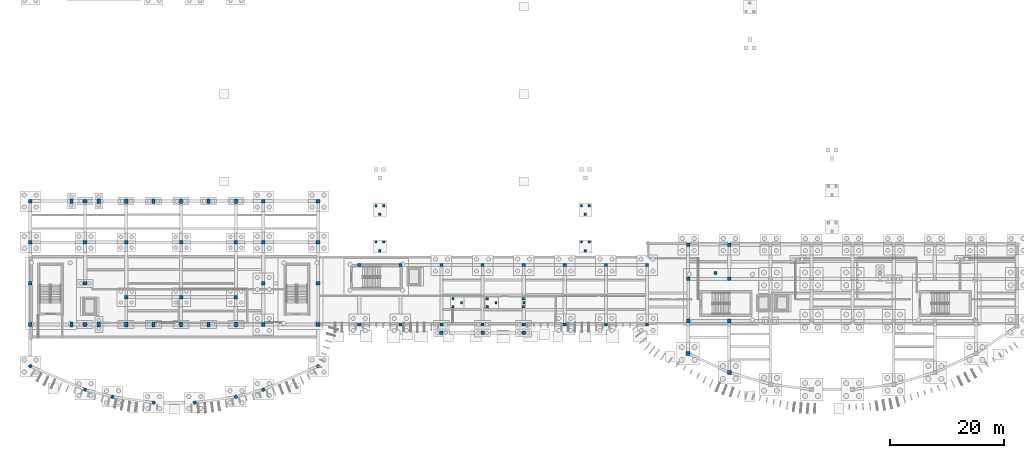
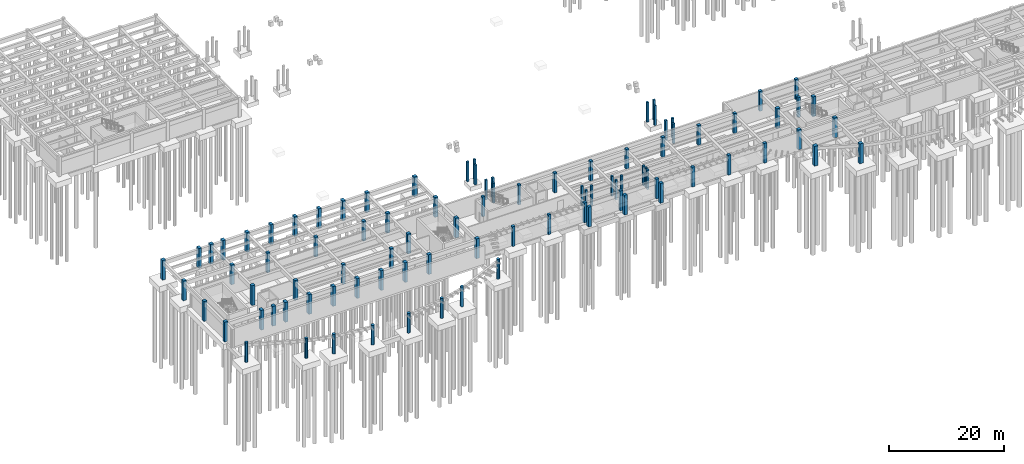
# One storey, part 8 of 31: 93 columns.
"""IFC4 building model written with IfcOpenShell, lengths in metres."""

from ifc_helpers import new_model, si_unit, direction, frame, origin, origin_2d, place, context, subcontext, project, spatial, rectangle, circle, extrude, material, material_profile, profile_set, type_object, element, save


model = new_model("IFC4")

# Units and contexts
model_context = context("Model", 3, precision=1e-05, world=origin(), true_north=direction((0.0, 1.0)))
body_context = subcontext(model_context, "Body", "Model", "MODEL_VIEW")
ifc_project = project(units=[si_unit("LENGTHUNIT", "METRE"), si_unit("AREAUNIT", "SQUARE_METRE"), si_unit("VOLUMEUNIT", "CUBIC_METRE"), si_unit("PLANEANGLEUNIT", "RADIAN"), si_unit("MASSUNIT", "GRAM", prefix="KILO")], contexts=[model_context])

# Site, building, storey
site_placement = place(None, origin())
site = spatial("IfcSite", under=ifc_project, at=site_placement, CompositionType="ELEMENT")
building_placement = place(site_placement, origin())
building = spatial("IfcBuilding", under=site, at=building_placement, Name="Brisavento Harbour Community Centre", CompositionType="ELEMENT")
storey_placement = place(building_placement, frame((0.0, 0.0, -4.199951171875)))
storey = spatial("IfcBuildingStorey", under=building, at=storey_placement, Name="B1", CompositionType="ELEMENT", Elevation=-4.199951171875)

# Columns
ifc_material_1 = material(Name="Concrete C35/45", Category="concrete")
ifc_material_profile_1 = material_profile(ifc_material_1, rectangle(XDim=0.39990234375, YDim=0.39990234375, at=origin_2d()), Name="Concrete C35/45")
ifc_profile_set_1 = profile_set([ifc_material_profile_1], Name="Concrete C35/45")
column_type_1 = type_object("IfcColumnType", Name="COL-RC-400", PredefinedType="COLUMN", material=ifc_profile_set_1)
for number, where, z_axis, x_axis, name in (
    (1, (60.52001953125, 35.199951171875, 0.0), (0.0, 0.0, 1.0), (1.0, 0.0, 0.0), "MST-01 MID support column 1 B1"),
    (2, (61.8798828125, 35.199951171875, 0.0), (0.0, 0.0, 1.0), (1.0, 0.0, 0.0), "MST-01 MID support column 2 B1"),
    (3, (61.199951171875, 33.7099609375, 0.0), (0.0, 0.0, 1.0), (1.0, 0.0, 0.0), "MST-01 MID support column 3 B1"),
    (4, (60.52001953125, 28.830078125, 0.0), (0.0, 0.0, 1.0), (1.0, 0.0, 0.0), "MST-01 TOP support column 1 B1"),
    (5, (61.8798828125, 28.830078125, 0.0), (0.0, 0.0, 1.0), (1.0, 0.0, 0.0), "MST-01 TOP support column 2 B1"),
    (6, (61.199951171875, 27.340087890625, 0.0), (0.0, 0.0, 1.0), (1.0, 0.0, 0.0), "MST-01 TOP support column 3 B1"),
    (7, (96.52001953125, 35.199951171875, 0.0), (0.0, 0.0, 1.0), (1.0, 0.0, 0.0), "MST-02 MID support column 1 B1"),
    (8, (97.8798828125, 35.199951171875, 0.0), (0.0, 0.0, 1.0), (1.0, 0.0, 0.0), "MST-02 MID support column 2 B1"),
    (9, (97.199951171875, 33.7099609375, 0.0), (0.0, 0.0, 1.0), (1.0, 0.0, 0.0), "MST-02 MID support column 3 B1"),
    (10, (96.52001953125, 28.830078125, 0.0), (0.0, 0.0, 1.0), (1.0, 0.0, 0.0), "MST-02 TOP support column 1 B1"),
    (11, (97.8798828125, 28.830078125, 0.0), (0.0, 0.0, 1.0), (1.0, 0.0, 0.0), "MST-02 TOP support column 2 B1"),
    (12, (97.199951171875, 27.340087890625, 0.0), (0.0, 0.0, 1.0), (1.0, 0.0, 0.0), "MST-02 TOP support column 3 B1"),
    (13, (74.010009765625, 17.510009765625, 0.0), (0.0, 0.0, 1.0), (1.0, 0.0, 0.0), "MST-08 BOT support column 1 B1"),
    (14, (74.010009765625, 18.889892578125, 0.0), (0.0, 0.0, 1.0), (1.0, 0.0, 0.0), "MST-08 BOT support column 2 B1"),
    (15, (75.52001953125, 18.199951171875, 0.0), (0.0, 0.0, 1.0), (1.0, 0.0, 0.0), "MST-08 BOT support column 3 B1"),
    (16, (80.0400390625, 17.510009765625, 0.0), (0.0, 0.0, 1.0), (1.0, 0.0, 0.0), "MST-08 MID support column 1 B1"),
    (17, (80.0400390625, 18.889892578125, 0.0), (0.0, 0.0, 1.0), (1.0, 0.0, 0.0), "MST-08 MID support column 2 B1"),
    (18, (81.550048828125, 18.199951171875, 0.0), (0.0, 0.0, 1.0), (1.0, 0.0, 0.0), "MST-08 MID support column 3 B1"),
    (19, (86.344970703125, 17.510009765625, 0.0), (0.0, 0.0, 1.0), (1.0, 0.0, 0.0), "MST-08 TOP support column 1 B1"),
    (20, (86.344970703125, 18.889892578125, 0.0), (0.0, 0.0, 1.0), (1.0, 0.0, 0.0), "MST-08 TOP support column 2 B1"),
    (21, (86.455078125, 18.199951171875, 0.0), (0.0, 0.0, 1.0), (1.0, 0.0, 0.0), "MST-08 TOP support column 3 B1"),
):
    element("IfcColumn", number, at=place(storey_placement, frame(where, z_axis=z_axis, x_axis=x_axis)), inside=storey, type_object=column_type_1, Name=name, PredefinedType="COLUMN", context=body_context, shape_type="SweptSolid", body=[
        extrude(rectangle(XDim=0.39990234375, YDim=0.39990234375, at=origin_2d()), origin(), (0.0, 0.0, 1.0), 4.199951171875),
    ])
ifc_material_profile_2 = material_profile(ifc_material_1, rectangle(XDim=0.550048828125, YDim=0.550048828125, at=origin_2d()), Name="Concrete C35/45")
ifc_profile_set_2 = profile_set([ifc_material_profile_2], Name="Concrete C35/45")
column_type_2 = type_object("IfcColumnType", Name="COL-RC-550", PredefinedType="COLUMN", material=ifc_profile_set_2)
for number, where, z_axis, x_axis, name in (
    (22, (57.60009765625, 14.39990234375, 0.0), (0.0, 0.0, 1.0), (1.0, 0.0, 0.0), "B1 column V2S-57"),
    (23, (57.60009765625, 24.800048828125, 0.0), (0.0, 0.0, 1.0), (1.0, 0.0, 0.0), "B1 column V2N-57"),
    (24, (64.800048828125, 14.39990234375, 0.0), (0.0, 0.0, 1.0), (1.0, 0.0, 0.0), "B1 column V2S-64"),
    (25, (64.800048828125, 24.800048828125, 0.0), (0.0, 0.0, 1.0), (1.0, 0.0, 0.0), "B1 column V2N-64"),
    (26, (72.0, 14.39990234375, 0.0), (0.0, 0.0, 1.0), (1.0, 0.0, 0.0), "B1 column V2S-72"),
    (27, (72.0, 24.800048828125, 0.0), (0.0, 0.0, 1.0), (1.0, 0.0, 0.0), "B1 column V2N-72"),
    (28, (79.199951171875, 14.39990234375, 0.0), (0.0, 0.0, 1.0), (1.0, 0.0, 0.0), "B1 column V2S-79"),
    (29, (79.199951171875, 24.800048828125, 0.0), (0.0, 0.0, 1.0), (1.0, 0.0, 0.0), "B1 column V2N-79"),
    (30, (86.39990234375, 14.39990234375, 0.0), (0.0, 0.0, 1.0), (1.0, 0.0, 0.0), "B1 column V2S-86"),
    (31, (86.39990234375, 24.800048828125, 0.0), (0.0, 0.0, 1.0), (1.0, 0.0, 0.0), "B1 column V2N-86"),
    (32, (93.60009765625, 14.39990234375, 0.0), (0.0, 0.0, 1.0), (1.0, 0.0, 0.0), "B1 column V2S-93"),
    (33, (93.60009765625, 24.800048828125, 0.0), (0.0, 0.0, 1.0), (1.0, 0.0, 0.0), "B1 column V2N-93"),
    (34, (100.800048828125, 14.39990234375, 0.0), (0.0, 0.0, 1.0), (1.0, 0.0, 0.0), "B1 column V2S-100"),
    (35, (100.800048828125, 24.800048828125, 0.0), (0.0, 0.0, 1.0), (1.0, 0.0, 0.0), "B1 column V2N-100"),
    (36, (108.0, 14.39990234375, 0.0), (0.0, 0.0, 1.0), (1.0, 0.0, 0.0), "B1 column V2S-108"),
    (37, (108.0, 24.800048828125, 0.0), (0.0, 0.0, 1.0), (1.0, 0.0, 0.0), "B1 column V2N-108"),
    (38, (120.0, 23.39990234375, 0.0), (0.0, 0.0, 1.0), (1.0, 0.0, 0.0), "B1 column V3TER-120"),
):
    element("IfcColumn", number, at=place(storey_placement, frame(where, z_axis=z_axis, x_axis=x_axis)), inside=storey, type_object=column_type_2, Name=name, PredefinedType="COLUMN", context=body_context, shape_type="SweptSolid", body=[
        extrude(rectangle(XDim=0.550048828125, YDim=0.550048828125, at=origin_2d()), origin(), (0.0, 0.0, 1.0), 4.199951171875),
    ])
ifc_material_profile_3 = material_profile(ifc_material_1, rectangle(XDim=0.60009765625, YDim=0.60009765625, at=origin_2d()), Name="Concrete C35/45")
ifc_profile_set_3 = profile_set([ifc_material_profile_3], Name="Concrete C35/45")
column_type_3 = type_object("IfcColumnType", Name="COL-RC-600", PredefinedType="COLUMN", material=ifc_profile_set_3)
for number, where, z_axis, x_axis, name in (
    (39, (16.800048828125, 19.199951171875, 0.0), (0.0, 0.0, 1.0), (1.0, 0.0, 0.0), "B1 column V1SUB-168-192"),
    (40, (16.800048828125, 28.800048828125, 0.0), (0.0, 0.0, 1.0), (1.0, 0.0, 0.0), "B1 column V1SUB-168-288"),
    (41, (26.39990234375, 19.199951171875, 0.0), (0.0, 0.0, 1.0), (1.0, 0.0, 0.0), "B1 column V1SUB-264-192"),
    (42, (26.39990234375, 28.800048828125, 0.0), (0.0, 0.0, 1.0), (1.0, 0.0, 0.0), "B1 column V1SUB-264-288"),
    (43, (36.0, 19.199951171875, 0.0), (0.0, 0.0, 1.0), (1.0, 0.0, 0.0), "B1 column V1SUB-360-192"),
    (44, (36.0, 28.800048828125, 0.0), (0.0, 0.0, 1.0), (1.0, 0.0, 0.0), "B1 column V1SUB-360-288"),
    (45, (115.199951171875, 28.39990234375, 0.0), (0.0, 0.0, 1.0), (1.0, 0.0, 0.0), "B1 column V3N2-115"),
    (46, (122.39990234375, 28.39990234375, 0.0), (0.0, 0.0, 1.0), (1.0, 0.0, 0.0), "B1 column V3N2-122"),
    (47, (72.0, 12.949951171875, 0.0), (0.0, 0.0, 1.0), (1.0, 0.0, 0.0), "B1 column V2ARCH-72"),
    (48, (79.199951171875, 12.949951171875, 0.0), (0.0, 0.0, 1.0), (1.0, 0.0, 0.0), "B1 column V2ARCH-79"),
    (49, (86.39990234375, 12.949951171875, 0.0), (0.0, 0.0, 1.0), (1.0, 0.0, 0.0), "B1 column V2ARCH-86"),
):
    element("IfcColumn", number, at=place(storey_placement, frame(where, z_axis=z_axis, x_axis=x_axis)), inside=storey, type_object=column_type_3, Name=name, PredefinedType="COLUMN", context=body_context, shape_type="SweptSolid", body=[
        extrude(rectangle(XDim=0.60009765625, YDim=0.60009765625, at=origin_2d()), origin(), (0.0, 0.0, 1.0), 4.199951171875),
    ])
ifc_material_2 = material(Name="Concrete C40/50", Category="concrete")
ifc_material_profile_4 = material_profile(ifc_material_2, rectangle(XDim=0.64990234375, YDim=0.64990234375, at=origin_2d()), Name="Concrete C40/50")
ifc_profile_set_4 = profile_set([ifc_material_profile_4], Name="Concrete C40/50")
column_type_4 = type_object("IfcColumnType", Name="COL-RC-650", PredefinedType="COLUMN", material=ifc_profile_set_4)
for number, where, z_axis, x_axis, name in (
    (50, (0.0, 14.39990234375, 0.0), (0.0, 0.0, 1.0), (1.0, 0.0, 0.0), "B1 column V1F-0-14"),
    (51, (0.0, 21.60009765625, 0.0), (0.0, 0.0, 1.0), (1.0, 0.0, 0.0), "B1 column V1F-0-22"),
    (52, (0.0, 28.800048828125, 0.0), (0.0, 0.0, 1.0), (1.0, 0.0, 0.0), "B1 column V1F-0-29"),
    (53, (0.0, 36.0, 0.0), (0.0, 0.0, 1.0), (1.0, 0.0, 0.0), "B1 column V1F-0-36"),
    (54, (9.60009765625, 14.39990234375, 0.0), (0.0, 0.0, 1.0), (1.0, 0.0, 0.0), "B1 column V1F-10-14"),
    (55, (9.60009765625, 21.60009765625, 0.0), (0.0, 0.0, 1.0), (1.0, 0.0, 0.0), "B1 column V1F-10-22"),
    (56, (9.60009765625, 28.800048828125, 0.0), (0.0, 0.0, 1.0), (1.0, 0.0, 0.0), "B1 column V1F-10-29"),
    (57, (9.60009765625, 36.0, 0.0), (0.0, 0.0, 1.0), (1.0, 0.0, 0.0), "B1 column V1F-10-36"),
    (58, (40.800048828125, 14.39990234375, 0.0), (0.0, 0.0, 1.0), (1.0, 0.0, 0.0), "B1 column V1F-41-14"),
    (59, (40.800048828125, 21.60009765625, 0.0), (0.0, 0.0, 1.0), (1.0, 0.0, 0.0), "B1 column V1F-41-22"),
    (60, (40.800048828125, 28.800048828125, 0.0), (0.0, 0.0, 1.0), (1.0, 0.0, 0.0), "B1 column V1F-41-29"),
    (61, (40.800048828125, 36.0, 0.0), (0.0, 0.0, 1.0), (1.0, 0.0, 0.0), "B1 column V1F-41-36"),
    (62, (50.39990234375, 14.39990234375, 0.0), (0.0, 0.0, 1.0), (1.0, 0.0, 0.0), "B1 column V1F-50-14"),
    (63, (50.39990234375, 21.60009765625, 0.0), (0.0, 0.0, 1.0), (1.0, 0.0, 0.0), "B1 column V1F-50-22"),
    (64, (50.39990234375, 28.800048828125, 0.0), (0.0, 0.0, 1.0), (1.0, 0.0, 0.0), "B1 column V1F-50-29"),
    (65, (50.39990234375, 36.0, 0.0), (0.0, 0.0, 1.0), (1.0, 0.0, 0.0), "B1 column V1F-50-36"),
    (66, (115.199951171875, 15.0, 0.0), (0.0, 0.0, 1.0), (1.0, 0.0, 0.0), "B1 column V3M-115"),
    (67, (115.199951171875, 22.39990234375, 0.0), (0.0, 0.0, 1.0), (1.0, 0.0, 0.0), "B1 column V3N1-115"),
    (68, (122.39990234375, 15.0, 0.0), (0.0, 0.0, 1.0), (1.0, 0.0, 0.0), "B1 column V3M-122"),
    (69, (122.39990234375, 22.39990234375, 0.0), (0.0, 0.0, 1.0), (1.0, 0.0, 0.0), "B1 column V3N1-122"),
):
    element("IfcColumn", number, at=place(storey_placement, frame(where, z_axis=z_axis, x_axis=x_axis)), inside=storey, type_object=column_type_4, Name=name, PredefinedType="COLUMN", context=body_context, shape_type="SweptSolid", body=[
        extrude(rectangle(XDim=0.64990234375, YDim=0.64990234375, at=origin_2d()), origin(), (0.0, 0.0, 1.0), 4.199951171875),
    ])
ifc_material_profile_5 = material_profile(ifc_material_2, rectangle(XDim=0.699951171875, YDim=0.699951171875, at=origin_2d()), Name="Concrete C40/50")
ifc_profile_set_5 = profile_set([ifc_material_profile_5], Name="Concrete C40/50")
column_type_5 = type_object("IfcColumnType", Name="COL-RC-700", PredefinedType="COLUMN", material=ifc_profile_set_5)
for number, where, z_axis, x_axis, name in (
    (70, (115.199951171875, 9.31396484375, 0.0), (0.0, 0.0, 1.0), (1.0, 0.0, 0.0), "B1 column V3S-115"),
    (71, (122.39990234375, 6.014892578125, 0.0), (0.0, 0.0, 1.0), (1.0, 0.0, 0.0), "B1 column V3S-122"),
):
    element("IfcColumn", number, at=place(storey_placement, frame(where, z_axis=z_axis, x_axis=x_axis)), inside=storey, type_object=column_type_5, Name=name, PredefinedType="COLUMN", context=body_context, shape_type="SweptSolid", body=[
        extrude(rectangle(XDim=0.699951171875, YDim=0.699951171875, at=origin_2d()), origin(), (0.0, 0.0, 1.0), 4.199951171875),
    ])
ifc_material_profile_6 = material_profile(ifc_material_2, rectangle(XDim=0.550048828125, YDim=0.800048828125, at=origin_2d()), Name="Concrete C40/50")
ifc_profile_set_6 = profile_set([ifc_material_profile_6], Name="Concrete C40/50")
column_type_6 = type_object("IfcColumnType", Name="COL-RC-800x550", PredefinedType="COLUMN", material=ifc_profile_set_6)
for number, where, z_axis, x_axis, name in (
    (72, (7.199951171875, 14.39990234375, 0.0), (0.0, 0.0, 1.0), (1.0, 0.0, 0.0), "B1 column V1AR-1-14"),
    (73, (7.199951171875, 36.0, 0.0), (0.0, 0.0, 1.0), (1.0, 0.0, 0.0), "B1 column V1AR-1-36"),
    (74, (12.0, 14.39990234375, 0.0), (0.0, 0.0, 1.0), (1.0, 0.0, 0.0), "B1 column V1AR-2-14"),
    (75, (12.0, 36.0, 0.0), (0.0, 0.0, 1.0), (1.0, 0.0, 0.0), "B1 column V1AR-2-36"),
    (76, (16.800048828125, 14.39990234375, 0.0), (0.0, 0.0, 1.0), (1.0, 0.0, 0.0), "B1 column V1AR-3-14"),
    (77, (16.800048828125, 36.0, 0.0), (0.0, 0.0, 1.0), (1.0, 0.0, 0.0), "B1 column V1AR-3-36"),
    (78, (21.60009765625, 14.39990234375, 0.0), (0.0, 0.0, 1.0), (1.0, 0.0, 0.0), "B1 column V1AR-4-14"),
    (79, (21.60009765625, 36.0, 0.0), (0.0, 0.0, 1.0), (1.0, 0.0, 0.0), "B1 column V1AR-4-36"),
    (80, (26.39990234375, 14.39990234375, 0.0), (0.0, 0.0, 1.0), (1.0, 0.0, 0.0), "B1 column V1AR-5-14"),
    (81, (26.39990234375, 36.0, 0.0), (0.0, 0.0, 1.0), (1.0, 0.0, 0.0), "B1 column V1AR-5-36"),
    (82, (31.199951171875, 14.39990234375, 0.0), (0.0, 0.0, 1.0), (1.0, 0.0, 0.0), "B1 column V1AR-6-14"),
    (83, (31.199951171875, 36.0, 0.0), (0.0, 0.0, 1.0), (1.0, 0.0, 0.0), "B1 column V1AR-6-36"),
    (84, (36.0, 14.39990234375, 0.0), (0.0, 0.0, 1.0), (1.0, 0.0, 0.0), "B1 column V1AR-7-14"),
    (85, (36.0, 36.0, 0.0), (0.0, 0.0, 1.0), (1.0, 0.0, 0.0), "B1 column V1AR-7-36"),
):
    element("IfcColumn", number, at=place(storey_placement, frame(where, z_axis=z_axis, x_axis=x_axis)), inside=storey, type_object=column_type_6, Name=name, PredefinedType="COLUMN", context=body_context, shape_type="SweptSolid", body=[
        extrude(rectangle(XDim=0.550048828125, YDim=0.800048828125, at=origin_2d()), origin(), (0.0, 0.0, 1.0), 4.199951171875),
    ])
ifc_material_profile_7 = material_profile(ifc_material_1, circle(Radius=0.300048828125, at=origin_2d()), Name="Concrete C35/45")
ifc_profile_set_7 = profile_set([ifc_material_profile_7], Name="Concrete C35/45")
column_type_7 = type_object("IfcColumnType", Name="COL-RC-D600", PredefinedType="COLUMN", material=ifc_profile_set_7)
for number, where, z_axis, x_axis, name in (
    (86, (0.0, 7.1142578125, 0.0), (0.0, 0.0, 1.0), (1.0, 0.0, 0.0), "B1 column V1S-1"),
    (87, (9.60009765625, 2.9951171875, 0.0), (0.0, 0.0, 1.0), (1.0, 0.0, 0.0), "B1 column V1S-2"),
    (88, (14.39990234375, 1.73388671875, 0.0), (0.0, 0.0, 1.0), (1.0, 0.0, 0.0), "B1 column V1S-3"),
    (89, (21.60009765625, 0.724853515625, 0.0), (0.0, 0.0, 1.0), (1.0, 0.0, 0.0), "B1 column V1S-4"),
    (90, (28.800048828125, 0.724853515625, 0.0), (0.0, 0.0, 1.0), (1.0, 0.0, 0.0), "B1 column V1S-5"),
    (91, (36.0, 1.73388671875, 0.0), (0.0, 0.0, 1.0), (1.0, 0.0, 0.0), "B1 column V1S-6"),
    (92, (40.800048828125, 2.9951171875, 0.0), (0.0, 0.0, 1.0), (1.0, 0.0, 0.0), "B1 column V1S-7"),
    (93, (50.39990234375, 7.1142578125, 0.0), (0.0, 0.0, 1.0), (1.0, 0.0, 0.0), "B1 column V1S-8"),
):
    element("IfcColumn", number, at=place(storey_placement, frame(where, z_axis=z_axis, x_axis=x_axis)), inside=storey, type_object=column_type_7, Name=name, PredefinedType="COLUMN", context=body_context, shape_type="SweptSolid", body=[
        extrude(circle(Radius=0.300048828125, at=origin_2d()), origin(), (0.0, 0.0, 1.0), 4.199951171875),
    ])

save(model, "model.ifc")
